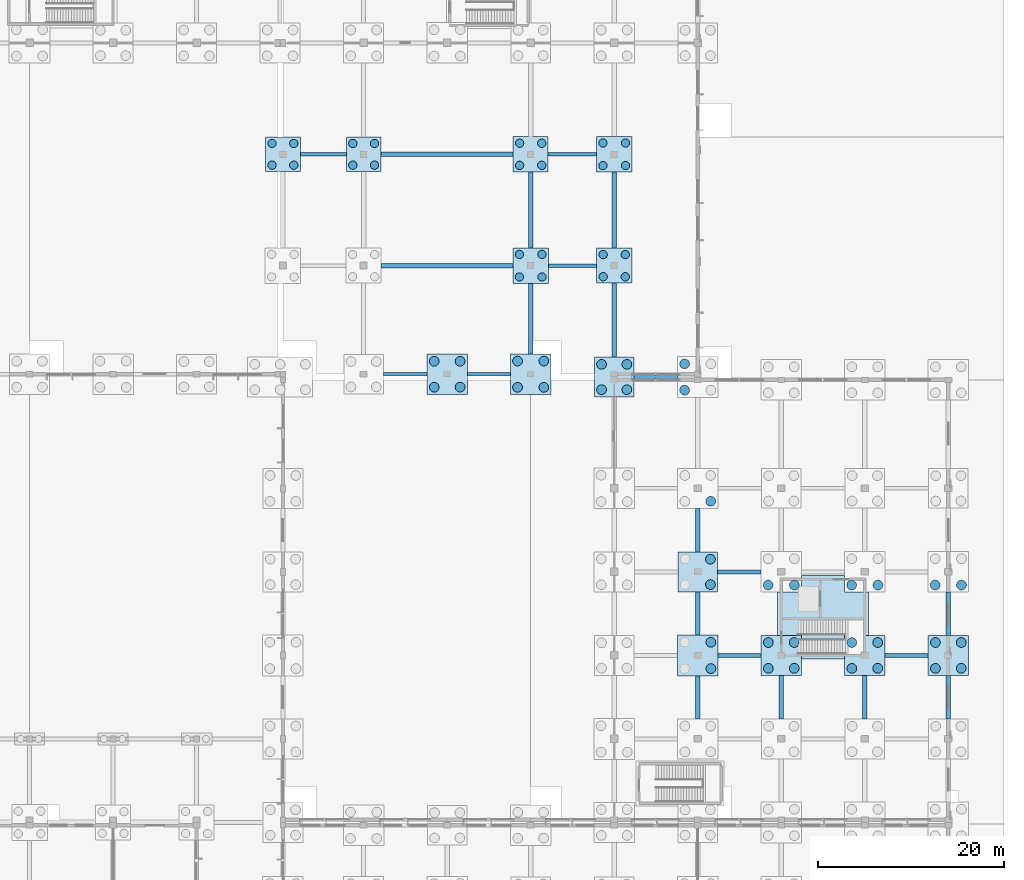
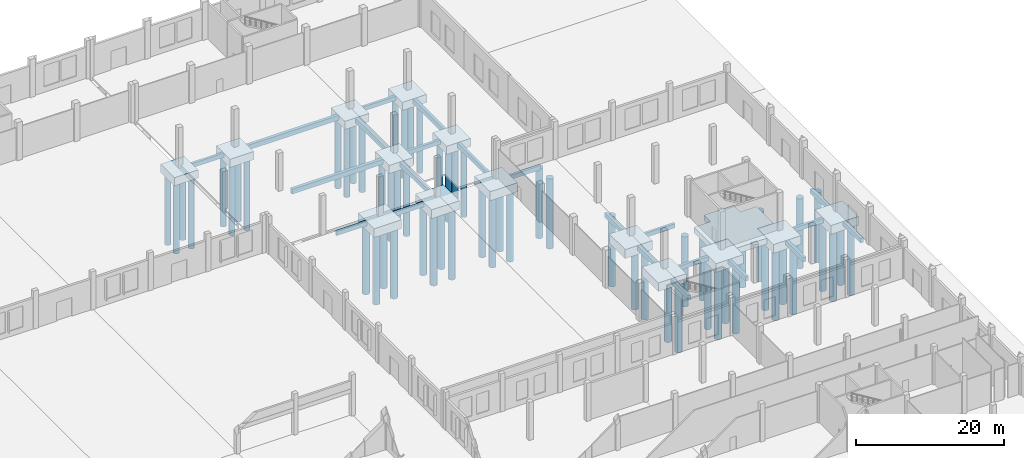
# One storey, part 19 of 99: 61 piles, 37 footings.
"""IFC4 building model written with IfcOpenShell, lengths in metres."""

from ifc_helpers import new_model, si_unit, direction, frame, origin, origin_2d, place, context, subcontext, project, spatial, polyline, rectangle, circle, outline, extrude, material, layer, layer_set, material_profile, profile_set, type_object, element, save


model = new_model("IFC4")

# Units and contexts
model_context = context("Model", 3, precision=1e-05, world=origin(), true_north=direction((0.0, 1.0)))
body_context = subcontext(model_context, "Body", "Model", "MODEL_VIEW")
ifc_project = project(units=[si_unit("LENGTHUNIT", "METRE"), si_unit("AREAUNIT", "SQUARE_METRE"), si_unit("VOLUMEUNIT", "CUBIC_METRE"), si_unit("PLANEANGLEUNIT", "RADIAN"), si_unit("MASSUNIT", "GRAM", prefix="KILO")], contexts=[model_context])

# Site, building, storey
site_placement = place(None, origin())
site = spatial("IfcSite", under=ifc_project, at=site_placement, CompositionType="ELEMENT")
building_placement = place(site_placement, origin())
building = spatial("IfcBuilding", under=site, at=building_placement, Name="Zacnel Wholesale Market", CompositionType="ELEMENT")
storey_placement = place(building_placement, origin())
storey = spatial("IfcBuildingStorey", under=building, at=storey_placement, Name="L01", CompositionType="ELEMENT", Elevation=0.0)

# Footings
ifc_material_1 = material(Name="Concrete C35/45", Category="concrete")
ifc_layer_1 = layer(ifc_material_1, 0.949951171875)
ifc_layer_set_1 = layer_set([ifc_layer_1], Name="Concrete C35/45")
footing_type_1 = type_object("IfcFootingType", Name="FTG-CORE-MAT-9500X8500", PredefinedType="PAD_FOOTING", material=ifc_layer_set_1)
footing_1_placement = place(storey_placement, frame((0.0, 0.0, -1.449951171875)))
element("IfcFooting", 1, at=footing_1_placement, inside=storey, type_object=footing_type_1, Name="Core C7 mat foundation", PredefinedType="PAD_FOOTING", context=body_context, shape_type="SweptSolid", body=[
    extrude(outline(polyline([(204.8349609375, 68.166015625), (204.8349609375, 68.166015625), (204.834716796875, 68.166015625), (204.834716796875, 68.166015625), (204.834716796875, 68.166015625), (204.83447265625, 68.166015625), (204.83447265625, 68.165771484375), (204.83447265625, 68.165771484375), (204.834228515625, 68.165771484375), (204.834228515625, 68.16552734375), (204.834228515625, 68.16552734375), (204.833984375, 68.16552734375), (204.833984375, 68.165283203125), (204.833984375, 68.165283203125), (204.833984375, 68.165283203125), (204.833984375, 68.1650390625), (204.833984375, 68.1650390625), (204.833984375, 65.60009765625), (200.166015625, 65.60009765625), (200.166015625, 68.1650390625), (200.166015625, 68.1650390625), (200.166015625, 68.165283203125), (200.166015625, 68.165283203125), (200.166015625, 68.165283203125), (200.166015625, 68.16552734375), (200.165771484375, 68.16552734375), (200.165771484375, 68.16552734375), (200.165771484375, 68.165771484375), (200.16552734375, 68.165771484375), (200.16552734375, 68.165771484375), (200.16552734375, 68.166015625), (200.165283203125, 68.166015625), (200.165283203125, 68.166015625), (200.165283203125, 68.166015625), (200.1650390625, 68.166015625), (200.1650390625, 68.166015625), (197.60009765625, 68.166015625), (197.60009765625, 72.80908203125), (200.18994140625, 72.80908203125), (200.190185546875, 72.80908203125), (200.190185546875, 72.80908203125), (200.190185546875, 72.80908203125), (200.1904296875, 72.80908203125), (200.1904296875, 72.80908203125), (200.190673828125, 72.80908203125), (200.190673828125, 72.80908203125), (200.190673828125, 72.809326171875), (200.19091796875, 72.809326171875), (200.19091796875, 72.809326171875), (200.19091796875, 72.8095703125), (200.19091796875, 72.8095703125), (200.19091796875, 72.809814453125), (200.19091796875, 72.809814453125), (200.19091796875, 72.809814453125), (200.19091796875, 72.81005859375), (200.19091796875, 74.60009765625), (204.80908203125, 74.60009765625), (204.80908203125, 72.81005859375), (204.80908203125, 72.809814453125), (204.80908203125, 72.809814453125), (204.80908203125, 72.809814453125), (204.80908203125, 72.8095703125), (204.80908203125, 72.8095703125), (204.80908203125, 72.809326171875), (204.80908203125, 72.809326171875), (204.809326171875, 72.809326171875), (204.809326171875, 72.80908203125), (204.809326171875, 72.80908203125), (204.8095703125, 72.80908203125), (204.8095703125, 72.80908203125), (204.809814453125, 72.80908203125), (204.809814453125, 72.80908203125), (204.809814453125, 72.80908203125), (204.81005859375, 72.80908203125), (207.39990234375, 72.80908203125), (207.39990234375, 68.166015625), (204.8349609375, 68.166015625)])), origin(), (0.0, 0.0, 1.0), 0.949951171875),
])
ifc_material_2 = material(Name="Concrete C35/45", Category="concrete")
ifc_material_profile_1 = material_profile(ifc_material_2, rectangle(XDim=0.39990234375, YDim=0.699951171875, at=origin_2d()), Name="CT 400x700")
ifc_profile_set_1 = profile_set([ifc_material_profile_1], Name="Concrete C35/45")
footing_type_2 = type_object("IfcFootingType", Name="FTG-CT400X700", PredefinedType="FOOTING_BEAM", material=ifc_profile_set_1)
footing_2_placement = place(storey_placement, frame((191.18994140625, 66.0, -0.85009765625), z_axis=(1.0, 0.0, 0.0), x_axis=(0.0, 1.0, 0.0)))
element("IfcFooting", 2, at=footing_2_placement, inside=storey, type_object=footing_type_2, Name="Ground tie beam CT-X-0409", PredefinedType="FOOTING_BEAM", context=body_context, shape_type="SweptSolid", body=[
    extrude(rectangle(XDim=0.39990234375, YDim=0.699951171875, at=origin_2d()), origin(), (0.0, 0.0, 1.0), 4.64501953125),
])
footing_3_placement = place(storey_placement, frame((209.1650390625, 66.0, -0.85009765625), z_axis=(1.0, 0.0, 0.0), x_axis=(0.0, 1.0, 0.0)))
element("IfcFooting", 3, at=footing_3_placement, inside=storey, type_object=footing_type_2, Name="Ground tie beam CT-X-0410", PredefinedType="FOOTING_BEAM", context=body_context, shape_type="SweptSolid", body=[
    extrude(rectangle(XDim=0.39990234375, YDim=0.699951171875, at=origin_2d()), origin(), (0.0, 0.0, 1.0), 4.669921875),
])
for number, where, z_axis, x_axis, name in (
    (4, (191.139892578125, 75.0, -0.85009765625), (1.0, 0.0, 0.0), (0.0, 1.0, 0.0), "Ground tie beam CT-X-0418"),
    (5, (182.139892578125, 96.0, -0.85009765625), (1.0, 0.0, 0.0), (0.0, 1.0, 0.0), "Ground tie beam CT-X-0442"),
):
    element("IfcFooting", number, at=place(storey_placement, frame(where, z_axis=z_axis, x_axis=x_axis)), inside=storey, type_object=footing_type_2, Name=name, PredefinedType="FOOTING_BEAM", context=body_context, shape_type="SweptSolid", body=[
        extrude(rectangle(XDim=0.39990234375, YDim=0.699951171875, at=origin_2d()), origin(), (0.0, 0.0, 1.0), 4.670166015625),
    ])
footing_4_placement = place(storey_placement, frame((155.139892578125, 96.300048828125, -0.85009765625), z_axis=(1.0, 0.0, 0.0), x_axis=(0.0, 1.0, 0.0)))
element("IfcFooting", 6, at=footing_4_placement, inside=storey, type_object=footing_type_2, Name="Ground tie beam CT-X-0449", PredefinedType="FOOTING_BEAM", context=body_context, shape_type="SweptSolid", body=[
    extrude(rectangle(XDim=0.39990234375, YDim=0.699951171875, at=origin_2d()), origin(), (0.0, 0.0, 1.0), 4.695068359375),
])
footing_5_placement = place(storey_placement, frame((164.1650390625, 96.300048828125, -0.85009765625), z_axis=(1.0, 0.0, 0.0), x_axis=(0.0, 1.0, 0.0)))
element("IfcFooting", 7, at=footing_5_placement, inside=storey, type_object=footing_type_2, Name="Ground tie beam CT-X-0450", PredefinedType="FOOTING_BEAM", context=body_context, shape_type="SweptSolid", body=[
    extrude(rectangle(XDim=0.39990234375, YDim=0.699951171875, at=origin_2d()), origin(), (0.0, 0.0, 1.0), 4.64501953125),
])
footing_6_placement = place(storey_placement, frame((172.9150390625, 108.0, -0.85009765625), z_axis=(1.0, 0.0, 0.0), x_axis=(0.0, 1.0, 0.0)))
element("IfcFooting", 8, at=footing_6_placement, inside=storey, type_object=footing_type_2, Name="Ground tie beam CT-X-0460", PredefinedType="FOOTING_BEAM", context=body_context, shape_type="SweptSolid", body=[
    extrude(rectangle(XDim=0.39990234375, YDim=0.699951171875, at=origin_2d()), origin(), (0.0, 0.0, 1.0), 5.195068359375),
])
footing_7_placement = place(storey_placement, frame((146.169921875, 120.0, -0.85009765625), z_axis=(1.0, 0.0, 0.0), x_axis=(0.0, 1.0, 0.0)))
element("IfcFooting", 9, at=footing_7_placement, inside=storey, type_object=footing_type_2, Name="Ground tie beam CT-X-0469", PredefinedType="FOOTING_BEAM", context=body_context, shape_type="SweptSolid", body=[
    extrude(rectangle(XDim=0.39990234375, YDim=0.699951171875, at=origin_2d()), origin(), (0.0, 0.0, 1.0), 4.9599609375),
])
footing_8_placement = place(storey_placement, frame((172.889892578125, 120.0, -0.85009765625), z_axis=(1.0, 0.0, 0.0), x_axis=(0.0, 1.0, 0.0)))
element("IfcFooting", 10, at=footing_8_placement, inside=storey, type_object=footing_type_2, Name="Ground tie beam CT-X-0471", PredefinedType="FOOTING_BEAM", context=body_context, shape_type="SweptSolid", body=[
    extrude(rectangle(XDim=0.39990234375, YDim=0.699951171875, at=origin_2d()), origin(), (0.0, 0.0, 1.0), 5.195068359375),
])
ifc_material_3 = material(Name="Concrete C35/45", Category="concrete")
ifc_material_profile_2 = material_profile(ifc_material_3, rectangle(XDim=0.449951171875, YDim=0.75, at=origin_2d()), Name="CT 450x750")
ifc_profile_set_2 = profile_set([ifc_material_profile_2], Name="Concrete C35/45")
footing_type_3 = type_object("IfcFootingType", Name="FTG-CT450X750", PredefinedType="FOOTING_BEAM", material=ifc_profile_set_2)
footing_9_placement = place(storey_placement, frame((171.0, 98.489990234375, -0.875), z_axis=(0.0, 1.0, 0.0), x_axis=(-1.0, 0.0, 0.0)))
element("IfcFooting", 11, at=footing_9_placement, inside=storey, type_object=footing_type_3, Name="Ground tie beam CT-Y-0177", PredefinedType="FOOTING_BEAM", context=body_context, shape_type="SweptSolid", body=[
    extrude(rectangle(XDim=0.449951171875, YDim=0.75, at=origin_2d()), origin(), (0.0, 0.0, 1.0), 7.594970703125),
])
footing_10_placement = place(storey_placement, frame((180.0, 98.139892578125, -0.875), z_axis=(0.0, 1.0, 0.0), x_axis=(-1.0, 0.0, 0.0)))
element("IfcFooting", 12, at=footing_10_placement, inside=storey, type_object=footing_type_3, Name="Ground tie beam CT-Y-0191", PredefinedType="FOOTING_BEAM", context=body_context, shape_type="SweptSolid", body=[
    extrude(rectangle(XDim=0.449951171875, YDim=0.75, at=origin_2d()), origin(), (0.0, 0.0, 1.0), 7.97021484375),
])
footing_11_placement = place(storey_placement, frame((189.0, 59.1650390625, -0.875), z_axis=(0.0, 1.0, 0.0), x_axis=(-1.0, 0.0, 0.0)))
element("IfcFooting", 13, at=footing_11_placement, inside=storey, type_object=footing_type_3, Name="Ground tie beam CT-Y-0201", PredefinedType="FOOTING_BEAM", context=body_context, shape_type="SweptSolid", body=[
    extrude(rectangle(XDim=0.449951171875, YDim=0.75, at=origin_2d()), origin(), (0.0, 0.0, 1.0), 4.64501953125),
])
footing_12_placement = place(storey_placement, frame((189.0, 68.18994140625, -0.875), z_axis=(0.0, 1.0, 0.0), x_axis=(-1.0, 0.0, 0.0)))
element("IfcFooting", 14, at=footing_12_placement, inside=storey, type_object=footing_type_3, Name="Ground tie beam CT-Y-0202", PredefinedType="FOOTING_BEAM", context=body_context, shape_type="SweptSolid", body=[
    extrude(rectangle(XDim=0.449951171875, YDim=0.75, at=origin_2d()), origin(), (0.0, 0.0, 1.0), 4.670166015625),
])
for number, where, z_axis, x_axis, name in (
    (15, (189.0, 77.139892578125, -0.875), (0.0, 1.0, 0.0), (-1.0, 0.0, 0.0), "Ground tie beam CT-Y-0203"),
    (16, (198.0, 59.139892578125, -0.875), (0.0, 1.0, 0.0), (-1.0, 0.0, 0.0), "Ground tie beam CT-Y-0212"),
    (17, (207.0, 59.139892578125, -0.875), (0.0, 1.0, 0.0), (-1.0, 0.0, 0.0), "Ground tie beam CT-Y-0223"),
    (18, (216.0, 59.139892578125, -0.875), (0.0, 1.0, 0.0), (-1.0, 0.0, 0.0), "Ground tie beam CT-Y-0234"),
):
    element("IfcFooting", number, at=place(storey_placement, frame(where, z_axis=z_axis, x_axis=x_axis)), inside=storey, type_object=footing_type_3, Name=name, PredefinedType="FOOTING_BEAM", context=body_context, shape_type="SweptSolid", body=[
        extrude(rectangle(XDim=0.449951171875, YDim=0.75, at=origin_2d()), origin(), (0.0, 0.0, 1.0), 4.695068359375),
    ])
footing_13_placement = place(storey_placement, frame((216.0, 68.1650390625, -0.875), z_axis=(0.0, 1.0, 0.0), x_axis=(-1.0, 0.0, 0.0)))
element("IfcFooting", 19, at=footing_13_placement, inside=storey, type_object=footing_type_3, Name="Ground tie beam CT-Y-0235", PredefinedType="FOOTING_BEAM", context=body_context, shape_type="SweptSolid", body=[
    extrude(rectangle(XDim=0.449951171875, YDim=0.75, at=origin_2d()), origin(), (0.0, 0.0, 1.0), 4.64501953125),
])
ifc_material_4 = material(Name="Concrete C35/45", Category="concrete")
ifc_material_profile_3 = material_profile(ifc_material_4, rectangle(XDim=0.5, YDim=0.800048828125, at=origin_2d()), Name="CT 500x800")
ifc_profile_set_3 = profile_set([ifc_material_profile_3], Name="Concrete C35/45")
footing_type_4 = type_object("IfcFootingType", Name="FTG-CT500X800", PredefinedType="FOOTING_BEAM", material=ifc_profile_set_3)
for number, where, z_axis, x_axis, name in (
    (20, (171.0, 109.9150390625, -0.89990234375), (0.0, 1.0, 0.0), (-1.0, 0.0, 0.0), "Ground tie beam CT-Y-0178"),
    (21, (180.0, 109.889892578125, -0.89990234375), (0.0, 1.0, 0.0), (-1.0, 0.0, 0.0), "Ground tie beam CT-Y-0192"),
):
    element("IfcFooting", number, at=place(storey_placement, frame(where, z_axis=z_axis, x_axis=x_axis)), inside=storey, type_object=footing_type_4, Name=name, PredefinedType="FOOTING_BEAM", context=body_context, shape_type="SweptSolid", body=[
        extrude(rectangle(XDim=0.5, YDim=0.800048828125, at=origin_2d()), origin(), (0.0, 0.0, 1.0), 8.195068359375),
    ])
footing_14_placement = place(storey_placement, frame((154.889892578125, 108.0, -0.89990234375), z_axis=(1.0, 0.0, 0.0), x_axis=(0.0, 1.0, 0.0)))
element("IfcFooting", 22, at=footing_14_placement, inside=storey, type_object=footing_type_4, Name="Ground tie beam CT-X-0459", PredefinedType="FOOTING_BEAM", context=body_context, shape_type="SweptSolid", body=[
    extrude(rectangle(XDim=0.5, YDim=0.800048828125, at=origin_2d()), origin(), (0.0, 0.0, 1.0), 14.195068359375),
])
footing_15_placement = place(storey_placement, frame((154.8701171875, 120.0, -0.89990234375), z_axis=(1.0, 0.0, 0.0), x_axis=(0.0, 1.0, 0.0)))
element("IfcFooting", 23, at=footing_15_placement, inside=storey, type_object=footing_type_4, Name="Ground tie beam CT-X-0470", PredefinedType="FOOTING_BEAM", context=body_context, shape_type="SweptSolid", body=[
    extrude(rectangle(XDim=0.5, YDim=0.800048828125, at=origin_2d()), origin(), (0.0, 0.0, 1.0), 14.239990234375),
])
ifc_material_5 = material(Name="Concrete C35/45", Category="concrete")
ifc_layer_2 = layer(ifc_material_5, 1.35009765625)
ifc_layer_set_2 = layer_set([ifc_layer_2], Name="Concrete C35/45")
footing_type_5 = type_object("IfcFootingType", Name="FTG-PC-3740X3740X1350", PredefinedType="PILE_CAP", material=ifc_layer_set_2)
for number, where, z_axis, x_axis, name in (
    (24, (153.0, 120.0, -1.85009765625), (0.0, 0.0, 1.0), (1.0, 0.0, 0.0), "Pile cap PC-06 (STR-PC-R2-XDR3)"),
    (25, (144.300048828125, 120.0, -1.85009765625), (0.0, 0.0, 1.0), (1.0, 0.0, 0.0), "Pile cap PC-06 (STR-PC-R2-XDR6)"),
):
    element("IfcFooting", number, at=place(storey_placement, frame(where, z_axis=z_axis, x_axis=x_axis)), inside=storey, type_object=footing_type_5, Name=name, PredefinedType="PILE_CAP", context=body_context, shape_type="SweptSolid", body=[
        extrude(rectangle(XDim=3.739990234375, YDim=3.739990234375, at=origin_2d()), origin(), (0.0, 0.0, 1.0), 1.35009765625),
    ])
ifc_material_6 = material(Name="Concrete C35/45", Category="concrete")
ifc_layer_3 = layer(ifc_material_6, 1.35009765625)
ifc_layer_set_3 = layer_set([ifc_layer_3], Name="Concrete C35/45")
footing_type_6 = type_object("IfcFootingType", Name="FTG-PC-3780X3780X1350", PredefinedType="PILE_CAP", material=ifc_layer_set_3)
for number, where, z_axis, x_axis, name in (
    (26, (171.0, 120.0, -1.85009765625), (0.0, 0.0, 1.0), (1.0, 0.0, 0.0), "Pile cap PC-04 (STR-PC-R2-XDR4)"),
    (27, (180.0, 108.0, -1.85009765625), (0.0, 0.0, 1.0), (1.0, 0.0, 0.0), "Pile cap PC-04 (STR-PC-R2-XDR7)"),
):
    element("IfcFooting", number, at=place(storey_placement, frame(where, z_axis=z_axis, x_axis=x_axis)), inside=storey, type_object=footing_type_6, Name=name, PredefinedType="PILE_CAP", context=body_context, shape_type="SweptSolid", body=[
        extrude(rectangle(XDim=3.780029296875, YDim=3.780029296875, at=origin_2d()), origin(), (0.0, 0.0, 1.0), 1.35009765625),
    ])
ifc_material_7 = material(Name="Concrete C35/45", Category="concrete")
ifc_layer_4 = layer(ifc_material_7, 1.35009765625)
ifc_layer_set_4 = layer_set([ifc_layer_4], Name="Concrete C35/45")
footing_type_7 = type_object("IfcFootingType", Name="FTG-PC-3830X3830X1350", PredefinedType="PILE_CAP", material=ifc_layer_set_4)
for number, where, z_axis, x_axis, name in (
    (28, (171.0, 108.0, -1.85009765625), (0.0, 0.0, 1.0), (1.0, 0.0, 0.0), "Pile cap PC-02 (STR-PC-R2-XDR2)"),
    (29, (180.0, 120.0, -1.85009765625), (0.0, 0.0, 1.0), (1.0, 0.0, 0.0), "Pile cap PC-02 (STR-PC-R2-XDR8)"),
):
    element("IfcFooting", number, at=place(storey_placement, frame(where, z_axis=z_axis, x_axis=x_axis)), inside=storey, type_object=footing_type_7, Name=name, PredefinedType="PILE_CAP", context=body_context, shape_type="SweptSolid", body=[
        extrude(rectangle(XDim=3.830078125, YDim=3.830078125, at=origin_2d()), origin(), (0.0, 0.0, 1.0), 1.35009765625),
    ])
ifc_material_8 = material(Name="Concrete C35/45", Category="concrete")
ifc_layer_5 = layer(ifc_material_8, 1.5)
ifc_layer_set_5 = layer_set([ifc_layer_5], Name="Concrete C35/45")
footing_type_8 = type_object("IfcFootingType", Name="FTG-PC-4280X4280X1500", PredefinedType="PILE_CAP", material=ifc_layer_set_5)
for number, where, z_axis, x_axis, name in (
    (30, (180.0, 96.0, -2.0), (0.0, 0.0, 1.0), (1.0, 0.0, 0.0), "Pile cap PC-15 (STR-PC-252)"),
    (31, (189.0, 75.0, -2.0), (0.0, 0.0, 1.0), (1.0, 0.0, 0.0), "Pile cap PC-15 (STR-PC-264)"),
):
    element("IfcFooting", number, at=place(storey_placement, frame(where, z_axis=z_axis, x_axis=x_axis)), inside=storey, type_object=footing_type_8, Name=name, PredefinedType="PILE_CAP", context=body_context, shape_type="SweptSolid", body=[
        extrude(rectangle(XDim=4.280029296875, YDim=4.280029296875, at=origin_2d()), origin(), (0.0, 0.0, 1.0), 1.5),
    ])
ifc_material_9 = material(Name="Concrete C35/45", Category="concrete")
ifc_layer_6 = layer(ifc_material_9, 1.449951171875)
ifc_layer_set_6 = layer_set([ifc_layer_6], Name="Concrete C35/45")
footing_type_9 = type_object("IfcFootingType", Name="FTG-PC-4330X4330X1450", PredefinedType="PILE_CAP", material=ifc_layer_set_6)
for number, where, z_axis, x_axis, name in (
    (32, (162.0, 96.300048828125, -1.9501953125), (0.0, 0.0, 1.0), (1.0, 0.0, 0.0), "Pile cap PC-19 (STR-PC-229)"),
    (33, (198.0, 66.0, -1.9501953125), (0.0, 0.0, 1.0), (1.0, 0.0, 0.0), "Pile cap PC-19 (STR-PC-277)"),
    (34, (207.0, 66.0, -1.9501953125), (0.0, 0.0, 1.0), (1.0, 0.0, 0.0), "Pile cap PC-19 (STR-PC-289)"),
    (35, (216.0, 66.0, -1.9501953125), (0.0, 0.0, 1.0), (1.0, 0.0, 0.0), "Pile cap PC-19 (STR-PC-301)"),
):
    element("IfcFooting", number, at=place(storey_placement, frame(where, z_axis=z_axis, x_axis=x_axis)), inside=storey, type_object=footing_type_9, Name=name, PredefinedType="PILE_CAP", context=body_context, shape_type="SweptSolid", body=[
        extrude(rectangle(XDim=4.330078125, YDim=4.330078125, at=origin_2d()), origin(), (0.0, 0.0, 1.0), 1.449951171875),
    ])
ifc_material_10 = material(Name="Concrete C35/45", Category="concrete")
ifc_layer_7 = layer(ifc_material_10, 1.449951171875)
ifc_layer_set_7 = layer_set([ifc_layer_7], Name="Concrete C35/45")
footing_type_10 = type_object("IfcFootingType", Name="FTG-PC-4380X4380X1450", PredefinedType="PILE_CAP", material=ifc_layer_set_7)
for number, where, z_axis, x_axis, name in (
    (36, (171.0, 96.300048828125, -1.9501953125), (0.0, 0.0, 1.0), (1.0, 0.0, 0.0), "Pile cap PC-14 (STR-PC-239)"),
    (37, (189.0, 66.0, -1.9501953125), (0.0, 0.0, 1.0), (1.0, 0.0, 0.0), "Pile cap PC-14 (STR-PC-263)"),
):
    element("IfcFooting", number, at=place(storey_placement, frame(where, z_axis=z_axis, x_axis=x_axis)), inside=storey, type_object=footing_type_10, Name=name, PredefinedType="PILE_CAP", context=body_context, shape_type="SweptSolid", body=[
        extrude(rectangle(XDim=4.3798828125, YDim=4.3798828125, at=origin_2d()), origin(), (0.0, 0.0, 1.0), 1.449951171875),
    ])

# Piles
ifc_material_11 = material(Name="Concrete C35/45", Category="concrete")
ifc_material_profile_4 = material_profile(ifc_material_11, circle(Radius=0.52490234375, at=origin_2d()), Name="BORED PILE D1050")
ifc_profile_set_4 = profile_set([ifc_material_profile_4], Name="Concrete C35/45")
pile_type_1 = type_object("IfcPileType", Name="PILE-BORED-1050", PredefinedType="BORED", material=ifc_profile_set_4)
for number, where, z_axis, x_axis, name in (
    (38, (160.6083984375, 94.908447265625, -1.85009765625), (0.0, 0.0, -1.0), (1.0, 0.0, 0.0), "Bored pile STR-PILE-229-01"),
    (39, (160.6083984375, 97.69140625, -1.85009765625), (0.0, 0.0, -1.0), (1.0, 0.0, 0.0), "Bored pile STR-PILE-229-02"),
    (40, (163.3916015625, 94.908447265625, -1.85009765625), (0.0, 0.0, -1.0), (1.0, 0.0, 0.0), "Bored pile STR-PILE-229-03"),
    (41, (163.3916015625, 97.69140625, -1.85009765625), (0.0, 0.0, -1.0), (1.0, 0.0, 0.0), "Bored pile STR-PILE-229-04"),
    (42, (169.58251953125, 94.882568359375, -1.85009765625), (0.0, 0.0, -1.0), (1.0, 0.0, 0.0), "Bored pile STR-PILE-239-01"),
    (43, (169.58251953125, 97.717529296875, -1.85009765625), (0.0, 0.0, -1.0), (1.0, 0.0, 0.0), "Bored pile STR-PILE-239-02"),
    (44, (172.41748046875, 94.882568359375, -1.85009765625), (0.0, 0.0, -1.0), (1.0, 0.0, 0.0), "Bored pile STR-PILE-239-03"),
    (45, (172.41748046875, 97.717529296875, -1.85009765625), (0.0, 0.0, -1.0), (1.0, 0.0, 0.0), "Bored pile STR-PILE-239-04"),
):
    element("IfcPile", number, at=place(storey_placement, frame(where, z_axis=z_axis, x_axis=x_axis)), inside=storey, type_object=pile_type_1, Name=name, PredefinedType="BORED", context=body_context, shape_type="SweptSolid", body=[
        extrude(circle(Radius=0.52490234375, at=origin_2d()), origin(), (0.0, 0.0, 1.0), 11.64990234375),
    ])
for number, where, z_axis, x_axis, name in (
    (46, (178.635009765625, 94.635009765625, -1.89990234375), (0.0, 0.0, -1.0), (1.0, 0.0, 0.0), "Bored pile STR-PILE-252-01"),
    (47, (178.635009765625, 97.364990234375, -1.89990234375), (0.0, 0.0, -1.0), (1.0, 0.0, 0.0), "Bored pile STR-PILE-252-02"),
    (48, (181.364990234375, 94.635009765625, -1.89990234375), (0.0, 0.0, -1.0), (1.0, 0.0, 0.0), "Bored pile STR-PILE-252-03"),
    (49, (181.364990234375, 97.364990234375, -1.89990234375), (0.0, 0.0, -1.0), (1.0, 0.0, 0.0), "Bored pile STR-PILE-252-04"),
):
    element("IfcPile", number, at=place(storey_placement, frame(where, z_axis=z_axis, x_axis=x_axis)), inside=storey, type_object=pile_type_1, Name=name, PredefinedType="BORED", context=body_context, shape_type="SweptSolid", body=[
        extrude(circle(Radius=0.52490234375, at=origin_2d()), origin(), (0.0, 0.0, 1.0), 11.60009765625),
    ])
for number, where, z_axis, x_axis, name in (
    (50, (190.41748046875, 64.58251953125, -1.85009765625), (0.0, 0.0, -1.0), (1.0, 0.0, 0.0), "Bored pile STR-PILE-263-03"),
    (51, (190.41748046875, 67.41748046875, -1.85009765625), (0.0, 0.0, -1.0), (1.0, 0.0, 0.0), "Bored pile STR-PILE-263-04"),
):
    element("IfcPile", number, at=place(storey_placement, frame(where, z_axis=z_axis, x_axis=x_axis)), inside=storey, type_object=pile_type_1, Name=name, PredefinedType="BORED", context=body_context, shape_type="SweptSolid", body=[
        extrude(circle(Radius=0.52490234375, at=origin_2d()), origin(), (0.0, 0.0, 1.0), 11.64990234375),
    ])
for number, where, z_axis, x_axis, name in (
    (52, (190.364990234375, 73.635009765625, -1.89990234375), (0.0, 0.0, -1.0), (1.0, 0.0, 0.0), "Bored pile STR-PILE-264-03"),
    (53, (190.364990234375, 76.364990234375, -1.89990234375), (0.0, 0.0, -1.0), (1.0, 0.0, 0.0), "Bored pile STR-PILE-264-04"),
):
    element("IfcPile", number, at=place(storey_placement, frame(where, z_axis=z_axis, x_axis=x_axis)), inside=storey, type_object=pile_type_1, Name=name, PredefinedType="BORED", context=body_context, shape_type="SweptSolid", body=[
        extrude(circle(Radius=0.52490234375, at=origin_2d()), origin(), (0.0, 0.0, 1.0), 11.60009765625),
    ])
pile_placement = place(storey_placement, frame((190.3916015625, 82.6083984375, -1.85009765625), z_axis=(0.0, 0.0, -1.0), x_axis=(1.0, 0.0, 0.0)))
element("IfcPile", 54, at=pile_placement, inside=storey, type_object=pile_type_1, Name="Bored pile STR-PILE-265-03", PredefinedType="BORED", context=body_context, shape_type="SweptSolid", body=[
    extrude(circle(Radius=0.52490234375, at=origin_2d()), origin(), (0.0, 0.0, 1.0), 11.64990234375),
])
for number, where, z_axis, x_axis, name in (
    (55, (187.58251953125, 94.58251953125, -1.89990234375), (0.0, 0.0, -1.0), (1.0, 0.0, 0.0), "Bored pile STR-PILE-266-01"),
    (56, (187.58251953125, 97.41748046875, -1.89990234375), (0.0, 0.0, -1.0), (1.0, 0.0, 0.0), "Bored pile STR-PILE-266-02"),
):
    element("IfcPile", number, at=place(storey_placement, frame(where, z_axis=z_axis, x_axis=x_axis)), inside=storey, type_object=pile_type_1, Name=name, PredefinedType="BORED", context=body_context, shape_type="SweptSolid", body=[
        extrude(circle(Radius=0.52490234375, at=origin_2d()), origin(), (0.0, 0.0, 1.0), 11.60009765625),
    ])
for number, where, z_axis, x_axis, name in (
    (57, (196.6083984375, 64.6083984375, -1.85009765625), (0.0, 0.0, -1.0), (1.0, 0.0, 0.0), "Bored pile STR-PILE-277-01"),
    (58, (196.6083984375, 67.3916015625, -1.85009765625), (0.0, 0.0, -1.0), (1.0, 0.0, 0.0), "Bored pile STR-PILE-277-02"),
    (59, (199.3916015625, 64.6083984375, -1.85009765625), (0.0, 0.0, -1.0), (1.0, 0.0, 0.0), "Bored pile STR-PILE-277-03"),
    (60, (199.3916015625, 67.3916015625, -1.85009765625), (0.0, 0.0, -1.0), (1.0, 0.0, 0.0), "Bored pile STR-PILE-277-04"),
):
    element("IfcPile", number, at=place(storey_placement, frame(where, z_axis=z_axis, x_axis=x_axis)), inside=storey, type_object=pile_type_1, Name=name, PredefinedType="BORED", context=body_context, shape_type="SweptSolid", body=[
        extrude(circle(Radius=0.52490234375, at=origin_2d()), origin(), (0.0, 0.0, 1.0), 11.64990234375),
    ])
for number, where, z_axis, x_axis, name in (
    (61, (196.58251953125, 73.58251953125, -1.89990234375), (0.0, 0.0, -1.0), (1.0, 0.0, 0.0), "Bored pile STR-PILE-278-01"),
    (62, (199.41748046875, 73.58251953125, -1.89990234375), (0.0, 0.0, -1.0), (1.0, 0.0, 0.0), "Bored pile STR-PILE-278-03"),
):
    element("IfcPile", number, at=place(storey_placement, frame(where, z_axis=z_axis, x_axis=x_axis)), inside=storey, type_object=pile_type_1, Name=name, PredefinedType="BORED", context=body_context, shape_type="SweptSolid", body=[
        extrude(circle(Radius=0.52490234375, at=origin_2d()), origin(), (0.0, 0.0, 1.0), 11.60009765625),
    ])
for number, where, z_axis, x_axis, name in (
    (63, (205.6083984375, 64.6083984375, -1.85009765625), (0.0, 0.0, -1.0), (1.0, 0.0, 0.0), "Bored pile STR-PILE-289-01"),
    (64, (205.6083984375, 67.3916015625, -1.85009765625), (0.0, 0.0, -1.0), (1.0, 0.0, 0.0), "Bored pile STR-PILE-289-02"),
    (65, (208.3916015625, 64.6083984375, -1.85009765625), (0.0, 0.0, -1.0), (1.0, 0.0, 0.0), "Bored pile STR-PILE-289-03"),
    (66, (208.3916015625, 67.3916015625, -1.85009765625), (0.0, 0.0, -1.0), (1.0, 0.0, 0.0), "Bored pile STR-PILE-289-04"),
):
    element("IfcPile", number, at=place(storey_placement, frame(where, z_axis=z_axis, x_axis=x_axis)), inside=storey, type_object=pile_type_1, Name=name, PredefinedType="BORED", context=body_context, shape_type="SweptSolid", body=[
        extrude(circle(Radius=0.52490234375, at=origin_2d()), origin(), (0.0, 0.0, 1.0), 11.64990234375),
    ])
for number, where, z_axis, x_axis, name in (
    (67, (205.58251953125, 73.58251953125, -1.89990234375), (0.0, 0.0, -1.0), (1.0, 0.0, 0.0), "Bored pile STR-PILE-290-01"),
    (68, (208.41748046875, 73.58251953125, -1.89990234375), (0.0, 0.0, -1.0), (1.0, 0.0, 0.0), "Bored pile STR-PILE-290-03"),
):
    element("IfcPile", number, at=place(storey_placement, frame(where, z_axis=z_axis, x_axis=x_axis)), inside=storey, type_object=pile_type_1, Name=name, PredefinedType="BORED", context=body_context, shape_type="SweptSolid", body=[
        extrude(circle(Radius=0.52490234375, at=origin_2d()), origin(), (0.0, 0.0, 1.0), 11.60009765625),
    ])
for number, where, z_axis, x_axis, name in (
    (69, (214.6083984375, 64.6083984375, -1.85009765625), (0.0, 0.0, -1.0), (1.0, 0.0, 0.0), "Bored pile STR-PILE-301-01"),
    (70, (214.6083984375, 67.3916015625, -1.85009765625), (0.0, 0.0, -1.0), (1.0, 0.0, 0.0), "Bored pile STR-PILE-301-02"),
    (71, (217.3916015625, 64.6083984375, -1.85009765625), (0.0, 0.0, -1.0), (1.0, 0.0, 0.0), "Bored pile STR-PILE-301-03"),
    (72, (217.3916015625, 67.3916015625, -1.85009765625), (0.0, 0.0, -1.0), (1.0, 0.0, 0.0), "Bored pile STR-PILE-301-04"),
):
    element("IfcPile", number, at=place(storey_placement, frame(where, z_axis=z_axis, x_axis=x_axis)), inside=storey, type_object=pile_type_1, Name=name, PredefinedType="BORED", context=body_context, shape_type="SweptSolid", body=[
        extrude(circle(Radius=0.52490234375, at=origin_2d()), origin(), (0.0, 0.0, 1.0), 11.64990234375),
    ])
for number, where, z_axis, x_axis, name in (
    (73, (214.58251953125, 73.58251953125, -1.89990234375), (0.0, 0.0, -1.0), (1.0, 0.0, 0.0), "Bored pile STR-PILE-302-01"),
    (74, (217.41748046875, 73.58251953125, -1.89990234375), (0.0, 0.0, -1.0), (1.0, 0.0, 0.0), "Bored pile STR-PILE-302-03"),
):
    element("IfcPile", number, at=place(storey_placement, frame(where, z_axis=z_axis, x_axis=x_axis)), inside=storey, type_object=pile_type_1, Name=name, PredefinedType="BORED", context=body_context, shape_type="SweptSolid", body=[
        extrude(circle(Radius=0.52490234375, at=origin_2d()), origin(), (0.0, 0.0, 1.0), 11.60009765625),
    ])
ifc_material_12 = material(Name="Concrete C35/45", Category="concrete")
ifc_material_profile_5 = material_profile(ifc_material_12, circle(Radius=0.449951171875, at=origin_2d()), Name="BORED PILE D900")
ifc_profile_set_5 = profile_set([ifc_material_profile_5], Name="Concrete C35/45")
pile_type_2 = type_object("IfcPileType", Name="PILE-BORED-900", PredefinedType="BORED", material=ifc_profile_set_5)
for number, where, z_axis, x_axis, name in (
    (75, (169.784912109375, 106.784912109375, -1.75), (0.0, 0.0, -1.0), (1.0, 0.0, 0.0), "Bored pile STR-PILE-R2-XDR2-01"),
    (76, (169.784912109375, 109.215087890625, -1.75), (0.0, 0.0, -1.0), (1.0, 0.0, 0.0), "Bored pile STR-PILE-R2-XDR2-02"),
    (77, (172.215087890625, 106.784912109375, -1.75), (0.0, 0.0, -1.0), (1.0, 0.0, 0.0), "Bored pile STR-PILE-R2-XDR2-03"),
    (78, (172.215087890625, 109.215087890625, -1.75), (0.0, 0.0, -1.0), (1.0, 0.0, 0.0), "Bored pile STR-PILE-R2-XDR2-04"),
    (79, (151.830078125, 118.830078125, -1.75), (0.0, 0.0, -1.0), (1.0, 0.0, 0.0), "Bored pile STR-PILE-R2-XDR3-01"),
    (80, (151.830078125, 121.169921875, -1.75), (0.0, 0.0, -1.0), (1.0, 0.0, 0.0), "Bored pile STR-PILE-R2-XDR3-02"),
    (81, (154.169921875, 118.830078125, -1.75), (0.0, 0.0, -1.0), (1.0, 0.0, 0.0), "Bored pile STR-PILE-R2-XDR3-03"),
    (82, (154.169921875, 121.169921875, -1.75), (0.0, 0.0, -1.0), (1.0, 0.0, 0.0), "Bored pile STR-PILE-R2-XDR3-04"),
    (83, (169.8076171875, 118.8076171875, -1.75), (0.0, 0.0, -1.0), (1.0, 0.0, 0.0), "Bored pile STR-PILE-R2-XDR4-01"),
    (84, (169.8076171875, 121.1923828125, -1.75), (0.0, 0.0, -1.0), (1.0, 0.0, 0.0), "Bored pile STR-PILE-R2-XDR4-02"),
    (85, (172.1923828125, 118.8076171875, -1.75), (0.0, 0.0, -1.0), (1.0, 0.0, 0.0), "Bored pile STR-PILE-R2-XDR4-03"),
    (86, (172.1923828125, 121.1923828125, -1.75), (0.0, 0.0, -1.0), (1.0, 0.0, 0.0), "Bored pile STR-PILE-R2-XDR4-04"),
    (87, (143.1298828125, 118.830078125, -1.75), (0.0, 0.0, -1.0), (1.0, 0.0, 0.0), "Bored pile STR-PILE-R2-XDR6-01"),
    (88, (143.1298828125, 121.169921875, -1.75), (0.0, 0.0, -1.0), (1.0, 0.0, 0.0), "Bored pile STR-PILE-R2-XDR6-02"),
    (89, (145.469970703125, 118.830078125, -1.75), (0.0, 0.0, -1.0), (1.0, 0.0, 0.0), "Bored pile STR-PILE-R2-XDR6-03"),
    (90, (145.469970703125, 121.169921875, -1.75), (0.0, 0.0, -1.0), (1.0, 0.0, 0.0), "Bored pile STR-PILE-R2-XDR6-04"),
    (91, (178.8076171875, 106.8076171875, -1.75), (0.0, 0.0, -1.0), (1.0, 0.0, 0.0), "Bored pile STR-PILE-R2-XDR7-01"),
    (92, (178.8076171875, 109.1923828125, -1.75), (0.0, 0.0, -1.0), (1.0, 0.0, 0.0), "Bored pile STR-PILE-R2-XDR7-02"),
    (93, (181.1923828125, 106.8076171875, -1.75), (0.0, 0.0, -1.0), (1.0, 0.0, 0.0), "Bored pile STR-PILE-R2-XDR7-03"),
    (94, (181.1923828125, 109.1923828125, -1.75), (0.0, 0.0, -1.0), (1.0, 0.0, 0.0), "Bored pile STR-PILE-R2-XDR7-04"),
    (95, (178.784912109375, 118.784912109375, -1.75), (0.0, 0.0, -1.0), (1.0, 0.0, 0.0), "Bored pile STR-PILE-R2-XDR8-01"),
    (96, (178.784912109375, 121.215087890625, -1.75), (0.0, 0.0, -1.0), (1.0, 0.0, 0.0), "Bored pile STR-PILE-R2-XDR8-02"),
    (97, (181.215087890625, 118.784912109375, -1.75), (0.0, 0.0, -1.0), (1.0, 0.0, 0.0), "Bored pile STR-PILE-R2-XDR8-03"),
    (98, (181.215087890625, 121.215087890625, -1.75), (0.0, 0.0, -1.0), (1.0, 0.0, 0.0), "Bored pile STR-PILE-R2-XDR8-04"),
):
    element("IfcPile", number, at=place(storey_placement, frame(where, z_axis=z_axis, x_axis=x_axis)), inside=storey, type_object=pile_type_2, Name=name, PredefinedType="BORED", context=body_context, shape_type="SweptSolid", body=[
        extrude(circle(Radius=0.449951171875, at=origin_2d()), origin(), (0.0, 0.0, 1.0), 11.75),
    ])

save(model, "model.ifc")
